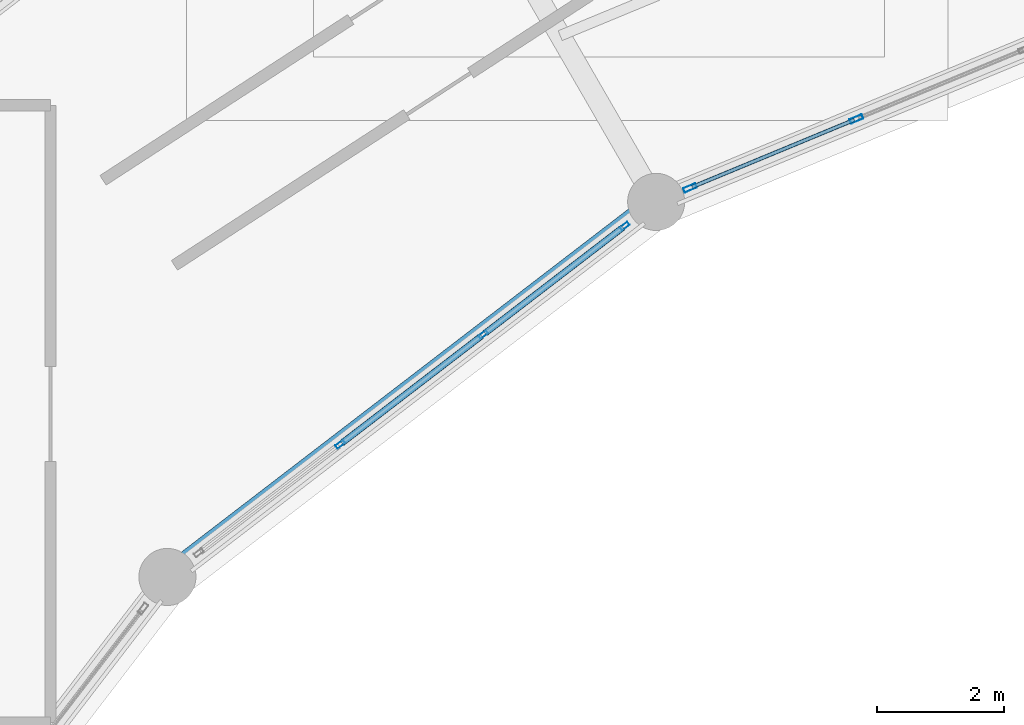
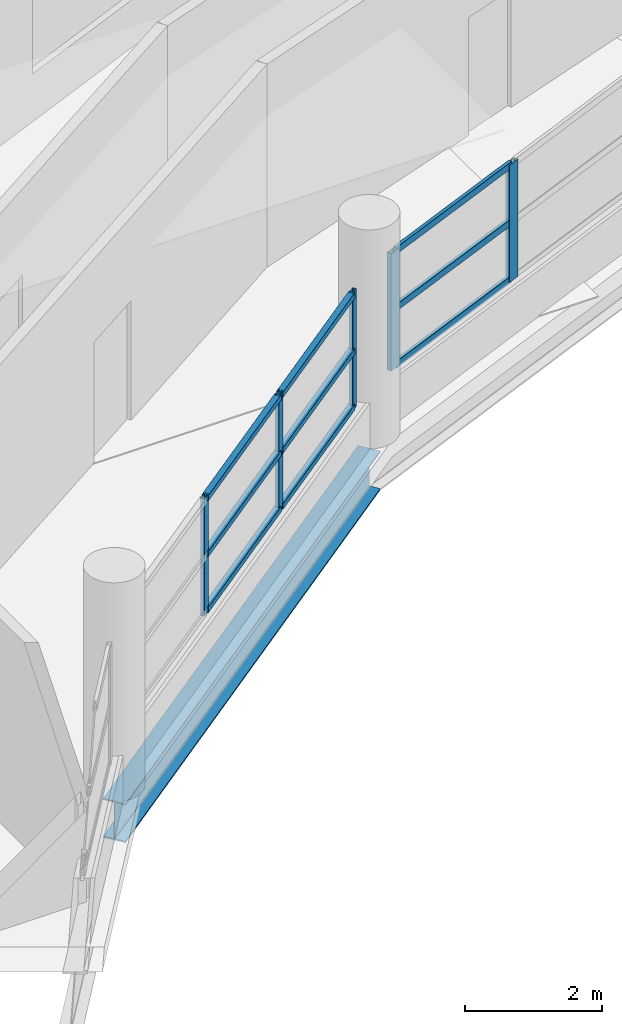
# One storey, part 38 of 88: 14 members, 1 beam, 2 elements without a shape of their own.
"""IFC4 building model written with IfcOpenShell, lengths in metres."""

from ifc_helpers import new_model, si_unit, direction, frame, origin, origin_2d, place, context, subcontext, project, spatial, hollow_rectangle, i_section, extrude, material, layer, layer_set, material_profile, profile_set, type_object, element, aggregate, save


model = new_model("IFC4")

# Units and contexts
model_context = context("Model", 3, precision=1e-05, world=origin(), true_north=direction((0.0, 1.0)))
body_context = subcontext(model_context, "Body", "Model", "MODEL_VIEW")
ifc_project = project(units=[si_unit("LENGTHUNIT", "METRE"), si_unit("AREAUNIT", "SQUARE_METRE"), si_unit("VOLUMEUNIT", "CUBIC_METRE"), si_unit("PLANEANGLEUNIT", "RADIAN"), si_unit("MASSUNIT", "GRAM", prefix="KILO")], contexts=[model_context])

# Site, building, storey
site_placement = place(None, origin())
site = spatial("IfcSite", under=ifc_project, at=site_placement, CompositionType="ELEMENT")
building_placement = place(site_placement, origin())
building = spatial("IfcBuilding", under=site, at=building_placement, Name="Vespera Passage Community Centre", CompositionType="ELEMENT")
storey_placement = place(building_placement, frame((0.0, 0.0, 16.5)))
storey = spatial("IfcBuildingStorey", under=building, at=storey_placement, Name="L04", CompositionType="ELEMENT", Elevation=16.5)

# Beam
ifc_material_1 = material(Name="Steel ASTM A992 Grade 50", Category="steel")
ifc_material_profile_1 = material_profile(ifc_material_1, i_section(OverallWidth=0.3544921875, OverallDepth=0.695556640625, WebThickness=0.015380859375, FlangeThickness=0.024658203125, FilletRadius=0.01513671875, at=origin_2d()), Name="W27X146")
ifc_profile_set_1 = profile_set([ifc_material_profile_1], Name="Steel ASTM A992 Grade 50")
beam_type = type_object("IfcBeamType", Name="BM-SP-W27X146E", PredefinedType="SPANDREL", material=ifc_profile_set_1)
beam_placement = place(storey_placement, frame((59.39990234375, 97.716064453125, -0.647705078125), z_axis=(-0.793359869694, -0.60875291963, 0.0), x_axis=(0.60875291963, -0.793359869694, 0.0)))
element("IfcBeam", 1, at=beam_placement, inside=storey, type_object=beam_type, Name="V4 L04 Inner Spandrel 8", PredefinedType="SPANDREL", context=body_context, shape_type="SweptSolid", body=[
    extrude(i_section(OverallWidth=0.3544921875, OverallDepth=0.695556640625, WebThickness=0.015380859375, FlangeThickness=0.024658203125, FilletRadius=0.01513671875, at=origin_2d()), origin(), (0.0, 0.0, 1.0), 9.7109375),
])

# Curtain wall, members
ifc_material_2 = material(Name="Anodized aluminium 6063-T6", Category="aluminium")
ifc_layer_1 = layer(ifc_material_2, 0.159912109375)
ifc_layer_set_1 = layer_set([ifc_layer_1], Name="Anodized aluminium 6063-T6")
curtain_wall_type_1 = type_object("IfcCurtainWallType", Name="CW-61E", PredefinedType="NOTDEFINED", material=ifc_layer_set_1)
curtain_wall_1_placement = place(storey_placement, origin())
curtain_wall_1 = element("IfcCurtainWall", 2, at=curtain_wall_1_placement, inside=storey, type_object=curtain_wall_type_1, Name="V4 L04 Inner Court Curtain Wall 8", PredefinedType="NOTDEFINED")
ifc_material_3 = material(Name="Anodized aluminium 6063-T6", Category="aluminium")
ifc_material_profile_2 = material_profile(ifc_material_3, hollow_rectangle(XDim=0.06494140625, YDim=0.14990234375, WallThickness=0.00390625, InnerFilletRadius=0.001953125, OuterFilletRadius=0.00390625, at=origin_2d()), Name="ALU150X65X4")
ifc_profile_set_2 = profile_set([ifc_material_profile_2], Name="Anodized aluminium 6063-T6")
member_type_1 = type_object("IfcMemberType", Name="MB-CWM-150E", PredefinedType="MULLION", material=ifc_profile_set_2)
member_1_placement = place(storey_placement, frame((58.903564453125, 97.335205078125, 0.820068359375), z_axis=(0.0, 0.0, 1.0), x_axis=(0.608755087843, -0.793358205999, 0.0)))
member_1 = element("IfcMember", 3, at=member_1_placement, type_object=member_type_1, Name="CW-61E mullion 1", PredefinedType="MULLION", context=body_context, shape_type="SweptSolid", body=[
    extrude(hollow_rectangle(XDim=0.06494140625, YDim=0.14990234375, WallThickness=0.00390625, InnerFilletRadius=0.001953125, OuterFilletRadius=0.00390625, at=origin_2d()), origin(), (0.0, 0.0, 1.0), 2.08935546875),
])
member_2_placement = place(storey_placement, frame((56.675048828125, 95.625244140625, 0.820068359375), z_axis=(0.0, 0.0, 1.0), x_axis=(0.608755087843, -0.793358205999, 0.0)))
member_2 = element("IfcMember", 4, at=member_2_placement, type_object=member_type_1, Name="CW-61E mullion 2", PredefinedType="MULLION", context=body_context, shape_type="SweptSolid", body=[
    extrude(hollow_rectangle(XDim=0.06494140625, YDim=0.14990234375, WallThickness=0.00390625, InnerFilletRadius=0.001953125, OuterFilletRadius=0.00390625, at=origin_2d()), origin(), (0.0, 0.0, 1.0), 2.08935546875),
])
member_3_placement = place(storey_placement, frame((54.420654296875, 93.895263671875, 0.820068359375), z_axis=(0.0, 0.0, 1.0), x_axis=(0.608755087843, -0.793358205999, 0.0)))
member_3 = element("IfcMember", 5, at=member_3_placement, type_object=member_type_1, Name="CW-61E mullion 3", PredefinedType="MULLION", context=body_context, shape_type="SweptSolid", body=[
    extrude(hollow_rectangle(XDim=0.06494140625, YDim=0.14990234375, WallThickness=0.00390625, InnerFilletRadius=0.001953125, OuterFilletRadius=0.00390625, at=origin_2d()), origin(), (0.0, 0.0, 1.0), 2.08935546875),
])

ifc_material_4 = material(Name="Anodized aluminium 6063-T6", Category="aluminium")
ifc_layer_2 = layer(ifc_material_4, 0.159912109375)
ifc_layer_set_2 = layer_set([ifc_layer_2], Name="Anodized aluminium 6063-T6")
curtain_wall_type_2 = type_object("IfcCurtainWallType", Name="CW-56E", PredefinedType="NOTDEFINED", material=ifc_layer_set_2)
curtain_wall_2_placement = place(storey_placement, origin())
curtain_wall_2 = element("IfcCurtainWall", 6, at=curtain_wall_2_placement, inside=storey, type_object=curtain_wall_type_2, Name="V4 L04 Inner Court Curtain Wall 7", PredefinedType="NOTDEFINED")
ifc_material_5 = material(Name="Anodized aluminium 6063-T6", Category="aluminium")
ifc_material_profile_3 = material_profile(ifc_material_5, hollow_rectangle(XDim=0.074951171875, YDim=0.2099609375, WallThickness=0.0048828125, InnerFilletRadius=0.00244140625, OuterFilletRadius=0.0048828125, at=origin_2d()), Name="ALU210X75X5")
ifc_profile_set_3 = profile_set([ifc_material_profile_3], Name="Anodized aluminium 6063-T6")
member_type_2 = type_object("IfcMemberType", Name="MB-CWM-210E", PredefinedType="MULLION", material=ifc_profile_set_3)
member_4_placement = place(storey_placement, frame((62.556884765625, 99.023681640625, 0.820068359375), z_axis=(0.0, 0.0, 1.0), x_axis=(0.382690463482, -0.923876620096, 0.0)))
member_4 = element("IfcMember", 7, at=member_4_placement, type_object=member_type_2, Name="CW-56E mullion 3", PredefinedType="MULLION", context=body_context, shape_type="SweptSolid", body=[
    extrude(hollow_rectangle(XDim=0.074951171875, YDim=0.2099609375, WallThickness=0.0048828125, InnerFilletRadius=0.00244140625, OuterFilletRadius=0.0048828125, at=origin_2d()), origin(), (0.0, 0.0, 1.0), 2.08935546875),
])
member_5_placement = place(storey_placement, frame((59.933349609375, 97.93701171875, 0.820068359375), z_axis=(0.0, 0.0, 1.0), x_axis=(0.382690463482, -0.923876620096, 0.0)))
member_5 = element("IfcMember", 8, at=member_5_placement, type_object=member_type_2, Name="CW-56E mullion 4", PredefinedType="MULLION", context=body_context, shape_type="SweptSolid", body=[
    extrude(hollow_rectangle(XDim=0.074951171875, YDim=0.2099609375, WallThickness=0.0048828125, InnerFilletRadius=0.00244140625, OuterFilletRadius=0.0048828125, at=origin_2d()), origin(), (0.0, 0.0, 1.0), 2.08935546875),
])

# Member
ifc_material_6 = material(Name="Anodized aluminium 6063-T6", Category="aluminium")
ifc_material_profile_4 = material_profile(ifc_material_6, hollow_rectangle(XDim=0.10009765625, YDim=0.10009765625, WallThickness=0.00390625, InnerFilletRadius=0.001953125, OuterFilletRadius=0.00390625, at=origin_2d()), Name="ALU100X100X4")
ifc_profile_set_4 = profile_set([ifc_material_profile_4], Name="Anodized aluminium 6063-T6")
member_type_3 = type_object("IfcMemberType", Name="MB-CWT-100E", PredefinedType="USERDEFINED", material=ifc_profile_set_4)
member_6_placement = place(storey_placement, frame((58.8779296875, 97.3154296875, 0.8701171875), z_axis=(-0.793397254086, -0.608704195162, 0.0), x_axis=(0.608704195162, -0.793397254086, 0.0)))
member_6 = element("IfcMember", 9, at=member_6_placement, type_object=member_type_3, Name="CW-61E transom 1.1", ObjectType="TRANSOM", PredefinedType="USERDEFINED", context=body_context, shape_type="SweptSolid", body=[
    extrude(hollow_rectangle(XDim=0.10009765625, YDim=0.10009765625, WallThickness=0.00390625, InnerFilletRadius=0.001953125, OuterFilletRadius=0.00390625, at=origin_2d()), origin(), (0.0, 0.0, 1.0), 2.744140625),
])

member_7_placement = place(storey_placement, frame((58.8779296875, 97.3154296875, 1.86474609375), z_axis=(-0.793397254086, -0.608704195162, 0.0), x_axis=(0.608704195162, -0.793397254086, 0.0)))
member_7 = element("IfcMember", 10, at=member_7_placement, type_object=member_type_3, Name="CW-61E transom 1.2", ObjectType="TRANSOM", PredefinedType="USERDEFINED", context=body_context, shape_type="SweptSolid", body=[
    extrude(hollow_rectangle(XDim=0.10009765625, YDim=0.10009765625, WallThickness=0.00390625, InnerFilletRadius=0.001953125, OuterFilletRadius=0.00390625, at=origin_2d()), origin(), (0.0, 0.0, 1.0), 2.744140625),
])

member_8_placement = place(storey_placement, frame((58.8779296875, 97.3154296875, 2.859375), z_axis=(-0.793397254086, -0.608704195162, 0.0), x_axis=(0.608704195162, -0.793397254086, 0.0)))
member_8 = element("IfcMember", 11, at=member_8_placement, type_object=member_type_3, Name="CW-61E transom 1.3", ObjectType="TRANSOM", PredefinedType="USERDEFINED", context=body_context, shape_type="SweptSolid", body=[
    extrude(hollow_rectangle(XDim=0.10009765625, YDim=0.10009765625, WallThickness=0.00390625, InnerFilletRadius=0.001953125, OuterFilletRadius=0.00390625, at=origin_2d()), origin(), (0.0, 0.0, 1.0), 2.744140625),
])

member_9_placement = place(storey_placement, frame((56.649169921875, 95.60546875, 0.8701171875), z_axis=(-0.793335989748, -0.60878404001, 0.0), x_axis=(0.60878404001, -0.793335989748, 0.0)))
member_9 = element("IfcMember", 12, at=member_9_placement, type_object=member_type_3, Name="CW-61E transom 2.1", ObjectType="TRANSOM", PredefinedType="USERDEFINED", context=body_context, shape_type="SweptSolid", body=[
    extrude(hollow_rectangle(XDim=0.10009765625, YDim=0.10009765625, WallThickness=0.00390625, InnerFilletRadius=0.001953125, OuterFilletRadius=0.00390625, at=origin_2d()), origin(), (0.0, 0.0, 1.0), 2.776611328125),
])

member_10_placement = place(storey_placement, frame((56.649169921875, 95.60546875, 1.86474609375), z_axis=(-0.793335989748, -0.60878404001, 0.0), x_axis=(0.60878404001, -0.793335989748, 0.0)))
member_10 = element("IfcMember", 13, at=member_10_placement, type_object=member_type_3, Name="CW-61E transom 2.2", ObjectType="TRANSOM", PredefinedType="USERDEFINED", context=body_context, shape_type="SweptSolid", body=[
    extrude(hollow_rectangle(XDim=0.10009765625, YDim=0.10009765625, WallThickness=0.00390625, InnerFilletRadius=0.001953125, OuterFilletRadius=0.00390625, at=origin_2d()), origin(), (0.0, 0.0, 1.0), 2.776611328125),
])

member_11_placement = place(storey_placement, frame((56.649169921875, 95.60546875, 2.859375), z_axis=(-0.793335989748, -0.60878404001, 0.0), x_axis=(0.60878404001, -0.793335989748, 0.0)))
member_11 = element("IfcMember", 14, at=member_11_placement, type_object=member_type_3, Name="CW-61E transom 2.3", ObjectType="TRANSOM", PredefinedType="USERDEFINED", context=body_context, shape_type="SweptSolid", body=[
    extrude(hollow_rectangle(XDim=0.10009765625, YDim=0.10009765625, WallThickness=0.00390625, InnerFilletRadius=0.001953125, OuterFilletRadius=0.00390625, at=origin_2d()), origin(), (0.0, 0.0, 1.0), 2.776611328125),
])

aggregate(curtain_wall_1, [member_1, member_2, member_3, member_6, member_7, member_8, member_9, member_10, member_11])

ifc_material_7 = material(Name="Anodized aluminium 6063-T6", Category="aluminium")
ifc_material_profile_5 = material_profile(ifc_material_7, hollow_rectangle(XDim=0.06005859375, YDim=0.1201171875, WallThickness=0.00390625, InnerFilletRadius=0.001953125, OuterFilletRadius=0.00390625, at=origin_2d()), Name="ALU120X60X4")
ifc_profile_set_5 = profile_set([ifc_material_profile_5], Name="Anodized aluminium 6063-T6")
member_type_4 = type_object("IfcMemberType", Name="MB-CWT-120E", PredefinedType="USERDEFINED", material=ifc_profile_set_5)
member_12_placement = place(storey_placement, frame((62.522216796875, 99.00927734375, 0.85009765625), z_axis=(-0.923908142805, -0.382614353701, 0.0), x_axis=(0.382614353701, -0.923908142805, 0.0)))
member_12 = element("IfcMember", 15, at=member_12_placement, type_object=member_type_4, Name="CW-56E transom 3.1", ObjectType="TRANSOM", PredefinedType="USERDEFINED", context=body_context, shape_type="SweptSolid", body=[
    extrude(hollow_rectangle(XDim=0.06005859375, YDim=0.1201171875, WallThickness=0.00390625, InnerFilletRadius=0.001953125, OuterFilletRadius=0.00390625, at=origin_2d()), origin(), (0.0, 0.0, 1.0), 2.764892578125),
])

member_13_placement = place(storey_placement, frame((62.522216796875, 99.00927734375, 1.86474609375), z_axis=(-0.923908142805, -0.382614353701, 0.0), x_axis=(0.382614353701, -0.923908142805, 0.0)))
member_13 = element("IfcMember", 16, at=member_13_placement, type_object=member_type_4, Name="CW-56E transom 3.2", ObjectType="TRANSOM", PredefinedType="USERDEFINED", context=body_context, shape_type="SweptSolid", body=[
    extrude(hollow_rectangle(XDim=0.06005859375, YDim=0.1201171875, WallThickness=0.00390625, InnerFilletRadius=0.001953125, OuterFilletRadius=0.00390625, at=origin_2d()), origin(), (0.0, 0.0, 1.0), 2.764892578125),
])

member_14_placement = place(storey_placement, frame((62.522216796875, 99.00927734375, 2.87939453125), z_axis=(-0.923908142805, -0.382614353701, 0.0), x_axis=(0.382614353701, -0.923908142805, 0.0)))
member_14 = element("IfcMember", 17, at=member_14_placement, type_object=member_type_4, Name="CW-56E transom 3.3", ObjectType="TRANSOM", PredefinedType="USERDEFINED", context=body_context, shape_type="SweptSolid", body=[
    extrude(hollow_rectangle(XDim=0.06005859375, YDim=0.1201171875, WallThickness=0.00390625, InnerFilletRadius=0.001953125, OuterFilletRadius=0.00390625, at=origin_2d()), origin(), (0.0, 0.0, 1.0), 2.764892578125),
])

aggregate(curtain_wall_2, [member_4, member_5, member_12, member_13, member_14])

save(model, "model.ifc")
